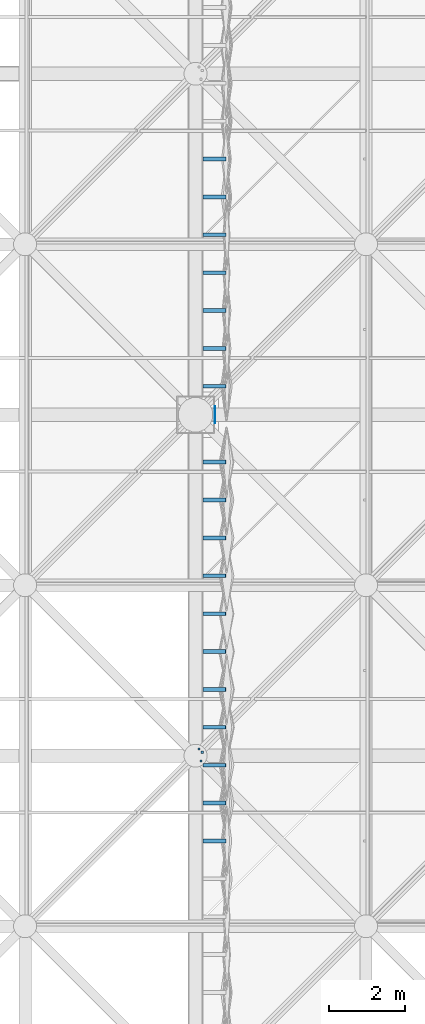
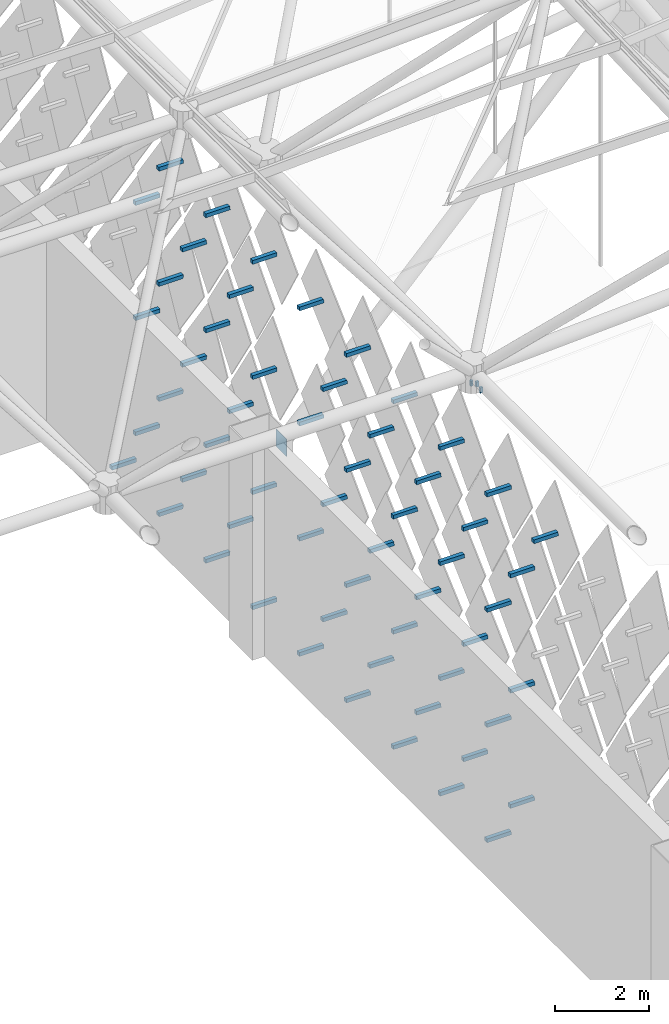
# One storey, part 377 of 437: 62 discrete accessories.
"""IFC4 building model written with IfcOpenShell, lengths in metres."""

from ifc_helpers import new_model, si_unit, direction, frame, origin, place, context, subcontext, project, spatial, polyline, outline, extrude, material, layer, layer_set, type_object, element, save


model = new_model("IFC4")

# Units and contexts
model_context = context("Model", 3, precision=1e-05, world=origin(), true_north=direction((0.0, 1.0)))
body_context = subcontext(model_context, "Body", "Model", "MODEL_VIEW")
ifc_project = project(units=[si_unit("LENGTHUNIT", "METRE"), si_unit("AREAUNIT", "SQUARE_METRE"), si_unit("VOLUMEUNIT", "CUBIC_METRE"), si_unit("PLANEANGLEUNIT", "RADIAN"), si_unit("MASSUNIT", "GRAM", prefix="KILO")], contexts=[model_context])

# Site, building, storey
site_placement = place(None, origin())
site = spatial("IfcSite", under=ifc_project, at=site_placement, CompositionType="ELEMENT")
building_placement = place(site_placement, origin())
building = spatial("IfcBuilding", under=site, at=building_placement, Name="Opaline Strait Convention Centre", CompositionType="ELEMENT")
storey_placement = place(building_placement, frame((0.0, 0.0, 11.5)))
storey = spatial("IfcBuildingStorey", under=building, at=storey_placement, Name="L02", CompositionType="ELEMENT", Elevation=11.5)

# Discrete accessories
ifc_material_1 = material(Name="Structural steel Q355B", Category="steel")
ifc_layer = layer(ifc_material_1, 0.01611328125)
ifc_layer_set = layer_set([ifc_layer], Name="Structural steel Q355B")
discrete_accessory_type_1 = type_object("IfcDiscreteAccessoryType", Name="Prop bearing plate 450 x 450 x 16", PredefinedType="ANCHORPLATE", material=ifc_layer_set)
discrete_accessory_1_placement = place(storey_placement, frame((0.0, 0.0, 4.791748046875)))
element("IfcDiscreteAccessory", 1, at=discrete_accessory_1_placement, inside=storey, type_object=discrete_accessory_type_1, Name="Prop bearing plate 261/126 E", PredefinedType="ANCHORPLATE", context=body_context, shape_type="SweptSolid", body=[
    extrude(outline(polyline([(261.5, 125.77490234375), (261.51611328125, 125.77490234375), (261.51611328125, 126.22509765625), (261.5, 126.22509765625), (261.5, 125.77490234375)])), origin(), (0.0, 0.0, 1.0), 0.449951171875),
])
ifc_material_2 = material(Name="Steel Q355B", Category="steel")
discrete_accessory_type_2 = type_object("IfcDiscreteAccessoryType", Name="Soffit hanger 60x60 steel", PredefinedType="BRACKET", material=ifc_material_2)
discrete_accessory_2_placement = place(storey_placement, frame((0.0, 0.0, 11.998779296875)))
element("IfcDiscreteAccessory", 2, at=discrete_accessory_2_placement, inside=storey, type_object=discrete_accessory_type_2, Name="Soffit hanger", PredefinedType="BRACKET", context=body_context, shape_type="SweptSolid", body=[
    extrude(outline(polyline([(261.111328125, 116.82861328125), (261.17138671875, 116.82861328125), (261.17138671875, 116.888671875), (261.111328125, 116.888671875), (261.111328125, 116.82861328125)])), origin(), (0.0, 0.0, 1.0), 0.14111328125),
])
discrete_accessory_3_placement = place(storey_placement, frame((0.0, 0.0, 12.006591796875)))
element("IfcDiscreteAccessory", 3, at=discrete_accessory_3_placement, inside=storey, type_object=discrete_accessory_type_2, Name="Soffit hanger", PredefinedType="BRACKET", context=body_context, shape_type="SweptSolid", body=[
    extrude(outline(polyline([(261.14892578125, 117.059326171875), (261.208984375, 117.059326171875), (261.208984375, 117.119140625), (261.14892578125, 117.119140625), (261.14892578125, 117.059326171875)])), origin(), (0.0, 0.0, 1.0), 0.13330078125),
])
discrete_accessory_4_placement = place(storey_placement, frame((0.0, 0.0, 12.000732421875)))
element("IfcDiscreteAccessory", 4, at=discrete_accessory_4_placement, inside=storey, type_object=discrete_accessory_type_2, Name="Soffit hanger", PredefinedType="BRACKET", context=body_context, shape_type="SweptSolid", body=[
    extrude(outline(polyline([(261.059326171875, 117.14892578125), (261.119140625, 117.14892578125), (261.119140625, 117.208984375), (261.059326171875, 117.208984375), (261.059326171875, 117.14892578125)])), origin(), (0.0, 0.0, 1.0), 0.13916015625),
])
discrete_accessory_type_3 = type_object("IfcDiscreteAccessoryType", Name="Tile bracket 100x100 steel", PredefinedType="BRACKET", material=ifc_material_2)
discrete_accessory_5_placement = place(storey_placement, frame((261.199951171875, 116.699951171875, 0.39208984375), z_axis=(0.0, 1.0, 0.0), x_axis=(-1.0, 0.0, 0.0)))
element("IfcDiscreteAccessory", 5, at=discrete_accessory_5_placement, inside=storey, type_object=discrete_accessory_type_3, Name="Tile bracket XT16 E", PredefinedType="BRACKET", context=body_context, shape_type="SweptSolid", body=[
    extrude(outline(polyline([(0.0, -0.050048828125), (0.0, 0.050048828125), (-0.593017578125, 0.050048828125), (-0.60693359375, -0.050048828125), (0.0, -0.050048828125)])), origin(), (0.0, 0.0, 1.0), 0.10009765625),
])
discrete_accessory_6_placement = place(storey_placement, frame((261.199951171875, 118.699951171875, 0.39208984375), z_axis=(0.0, 1.0, 0.0), x_axis=(-1.0, 0.0, 0.0)))
element("IfcDiscreteAccessory", 6, at=discrete_accessory_6_placement, inside=storey, type_object=discrete_accessory_type_3, Name="Tile bracket XT15 E", PredefinedType="BRACKET", context=body_context, shape_type="SweptSolid", body=[
    extrude(outline(polyline([(0.0, -0.050048828125), (0.0, 0.050048828125), (-0.593505859375, 0.050048828125), (-0.606689453125, -0.050048828125), (0.0, -0.050048828125)])), origin(), (0.0, 0.0, 1.0), 0.10009765625),
])
discrete_accessory_7_placement = place(storey_placement, frame((261.199951171875, 120.699951171875, 0.39208984375), z_axis=(0.0, 1.0, 0.0), x_axis=(-1.0, 0.0, 0.0)))
element("IfcDiscreteAccessory", 7, at=discrete_accessory_7_placement, inside=storey, type_object=discrete_accessory_type_3, Name="Tile bracket XT12 E", PredefinedType="BRACKET", context=body_context, shape_type="SweptSolid", body=[
    extrude(outline(polyline([(0.0, -0.050048828125), (0.0, 0.050048828125), (-0.5947265625, 0.050048828125), (-0.605224609375, -0.050048828125), (0.0, -0.050048828125)])), origin(), (0.0, 0.0, 1.0), 0.10009765625),
])
discrete_accessory_8_placement = place(storey_placement, frame((261.199951171875, 122.699951171875, 0.39208984375), z_axis=(0.0, 1.0, 0.0), x_axis=(-1.0, 0.0, 0.0)))
element("IfcDiscreteAccessory", 8, at=discrete_accessory_8_placement, inside=storey, type_object=discrete_accessory_type_3, Name="Tile bracket XT08 E", PredefinedType="BRACKET", context=body_context, shape_type="SweptSolid", body=[
    extrude(outline(polyline([(0.0, -0.050048828125), (0.0, 0.050048828125), (-0.596435546875, 0.050048828125), (-0.603515625, -0.050048828125), (0.0, -0.050048828125)])), origin(), (0.0, 0.0, 1.0), 0.10009765625),
])
discrete_accessory_9_placement = place(storey_placement, frame((261.199951171875, 124.699951171875, 0.39208984375), z_axis=(0.0, 1.0, 0.0), x_axis=(-1.0, 0.0, 0.0)))
element("IfcDiscreteAccessory", 9, at=discrete_accessory_9_placement, inside=storey, type_object=discrete_accessory_type_3, Name="Tile bracket XT05 E", PredefinedType="BRACKET", context=body_context, shape_type="SweptSolid", body=[
    extrude(outline(polyline([(0.0, -0.050048828125), (0.0, 0.050048828125), (-0.597900390625, 0.050048828125), (-0.602294921875, -0.050048828125), (0.0, -0.050048828125)])), origin(), (0.0, 0.0, 1.0), 0.10009765625),
])
discrete_accessory_10_placement = place(storey_placement, frame((261.199951171875, 126.699951171875, 0.39208984375), z_axis=(0.0, 1.0, 0.0), x_axis=(-1.0, 0.0, 0.0)))
element("IfcDiscreteAccessory", 10, at=discrete_accessory_10_placement, inside=storey, type_object=discrete_accessory_type_3, Name="Tile bracket XT05 E", PredefinedType="BRACKET", context=body_context, shape_type="SweptSolid", body=[
    extrude(outline(polyline([(0.0, -0.050048828125), (0.0, 0.050048828125), (-0.602294921875, 0.050048828125), (-0.597900390625, -0.050048828125), (0.0, -0.050048828125)])), origin(), (0.0, 0.0, 1.0), 0.10009765625),
])
discrete_accessory_11_placement = place(storey_placement, frame((261.199951171875, 128.699951171875, 0.39208984375), z_axis=(0.0, 1.0, 0.0), x_axis=(-1.0, 0.0, 0.0)))
element("IfcDiscreteAccessory", 11, at=discrete_accessory_11_placement, inside=storey, type_object=discrete_accessory_type_3, Name="Tile bracket XT07 E", PredefinedType="BRACKET", context=body_context, shape_type="SweptSolid", body=[
    extrude(outline(polyline([(0.0, -0.050048828125), (0.0, 0.050048828125), (-0.60302734375, 0.050048828125), (-0.596923828125, -0.050048828125), (0.0, -0.050048828125)])), origin(), (0.0, 0.0, 1.0), 0.10009765625),
])
discrete_accessory_12_placement = place(storey_placement, frame((261.199951171875, 130.699951171875, 0.39208984375), z_axis=(0.0, 1.0, 0.0), x_axis=(-1.0, 0.0, 0.0)))
element("IfcDiscreteAccessory", 12, at=discrete_accessory_12_placement, inside=storey, type_object=discrete_accessory_type_3, Name="Tile bracket XT10 E", PredefinedType="BRACKET", context=body_context, shape_type="SweptSolid", body=[
    extrude(outline(polyline([(0.0, -0.050048828125), (0.0, 0.050048828125), (-0.604248046875, 0.050048828125), (-0.595703125, -0.050048828125), (0.0, -0.050048828125)])), origin(), (0.0, 0.0, 1.0), 0.10009765625),
])
discrete_accessory_13_placement = place(storey_placement, frame((261.199951171875, 132.699951171875, 0.39208984375), z_axis=(0.0, 1.0, 0.0), x_axis=(-1.0, 0.0, 0.0)))
element("IfcDiscreteAccessory", 13, at=discrete_accessory_13_placement, inside=storey, type_object=discrete_accessory_type_3, Name="Tile bracket XT12 E", PredefinedType="BRACKET", context=body_context, shape_type="SweptSolid", body=[
    extrude(outline(polyline([(0.0, -0.050048828125), (0.0, 0.050048828125), (-0.605224609375, 0.050048828125), (-0.5947265625, -0.050048828125), (0.0, -0.050048828125)])), origin(), (0.0, 0.0, 1.0), 0.10009765625),
])
discrete_accessory_14_placement = place(storey_placement, frame((261.199951171875, 115.699951171875, 1.89208984375), z_axis=(0.0, 1.0, 0.0), x_axis=(-1.0, 0.0, 0.0)))
element("IfcDiscreteAccessory", 14, at=discrete_accessory_14_placement, inside=storey, type_object=discrete_accessory_type_3, Name="Tile bracket XT15 E", PredefinedType="BRACKET", context=body_context, shape_type="SweptSolid", body=[
    extrude(outline(polyline([(0.0, -0.050048828125), (0.0, 0.050048828125), (-0.593505859375, 0.050048828125), (-0.606689453125, -0.050048828125), (0.0, -0.050048828125)])), origin(), (0.0, 0.0, 1.0), 0.10009765625),
])
discrete_accessory_15_placement = place(storey_placement, frame((261.199951171875, 117.699951171875, 1.89208984375), z_axis=(0.0, 1.0, 0.0), x_axis=(-1.0, 0.0, 0.0)))
element("IfcDiscreteAccessory", 15, at=discrete_accessory_15_placement, inside=storey, type_object=discrete_accessory_type_3, Name="Tile bracket XT16 E", PredefinedType="BRACKET", context=body_context, shape_type="SweptSolid", body=[
    extrude(outline(polyline([(0.0, -0.050048828125), (0.0, 0.050048828125), (-0.593017578125, 0.050048828125), (-0.60693359375, -0.050048828125), (0.0, -0.050048828125)])), origin(), (0.0, 0.0, 1.0), 0.10009765625),
])
discrete_accessory_16_placement = place(storey_placement, frame((261.199951171875, 119.699951171875, 1.89208984375), z_axis=(0.0, 1.0, 0.0), x_axis=(-1.0, 0.0, 0.0)))
element("IfcDiscreteAccessory", 16, at=discrete_accessory_16_placement, inside=storey, type_object=discrete_accessory_type_3, Name="Tile bracket XT15 E", PredefinedType="BRACKET", context=body_context, shape_type="SweptSolid", body=[
    extrude(outline(polyline([(0.0, -0.050048828125), (0.0, 0.050048828125), (-0.593505859375, 0.050048828125), (-0.606689453125, -0.050048828125), (0.0, -0.050048828125)])), origin(), (0.0, 0.0, 1.0), 0.10009765625),
])
discrete_accessory_17_placement = place(storey_placement, frame((261.199951171875, 121.699951171875, 1.89208984375), z_axis=(0.0, 1.0, 0.0), x_axis=(-1.0, 0.0, 0.0)))
element("IfcDiscreteAccessory", 17, at=discrete_accessory_17_placement, inside=storey, type_object=discrete_accessory_type_3, Name="Tile bracket XT12 E", PredefinedType="BRACKET", context=body_context, shape_type="SweptSolid", body=[
    extrude(outline(polyline([(0.0, -0.050048828125), (0.0, 0.050048828125), (-0.5947265625, 0.050048828125), (-0.605224609375, -0.050048828125), (0.0, -0.050048828125)])), origin(), (0.0, 0.0, 1.0), 0.10009765625),
])
discrete_accessory_18_placement = place(storey_placement, frame((261.199951171875, 123.699951171875, 1.89208984375), z_axis=(0.0, 1.0, 0.0), x_axis=(-1.0, 0.0, 0.0)))
element("IfcDiscreteAccessory", 18, at=discrete_accessory_18_placement, inside=storey, type_object=discrete_accessory_type_3, Name="Tile bracket XT08 E", PredefinedType="BRACKET", context=body_context, shape_type="SweptSolid", body=[
    extrude(outline(polyline([(0.0, -0.050048828125), (0.0, 0.050048828125), (-0.596435546875, 0.050048828125), (-0.603515625, -0.050048828125), (0.0, -0.050048828125)])), origin(), (0.0, 0.0, 1.0), 0.10009765625),
])
discrete_accessory_19_placement = place(storey_placement, frame((261.199951171875, 127.699951171875, 1.89208984375), z_axis=(0.0, 1.0, 0.0), x_axis=(-1.0, 0.0, 0.0)))
element("IfcDiscreteAccessory", 19, at=discrete_accessory_19_placement, inside=storey, type_object=discrete_accessory_type_3, Name="Tile bracket XT05 E", PredefinedType="BRACKET", context=body_context, shape_type="SweptSolid", body=[
    extrude(outline(polyline([(0.0, -0.050048828125), (0.0, 0.050048828125), (-0.602294921875, 0.050048828125), (-0.597900390625, -0.050048828125), (0.0, -0.050048828125)])), origin(), (0.0, 0.0, 1.0), 0.10009765625),
])
discrete_accessory_20_placement = place(storey_placement, frame((261.199951171875, 129.699951171875, 1.89208984375), z_axis=(0.0, 1.0, 0.0), x_axis=(-1.0, 0.0, 0.0)))
element("IfcDiscreteAccessory", 20, at=discrete_accessory_20_placement, inside=storey, type_object=discrete_accessory_type_3, Name="Tile bracket XT06 E", PredefinedType="BRACKET", context=body_context, shape_type="SweptSolid", body=[
    extrude(outline(polyline([(0.0, -0.050048828125), (0.0, 0.050048828125), (-0.6025390625, 0.050048828125), (-0.597412109375, -0.050048828125), (0.0, -0.050048828125)])), origin(), (0.0, 0.0, 1.0), 0.10009765625),
])
discrete_accessory_21_placement = place(storey_placement, frame((261.199951171875, 131.699951171875, 1.89208984375), z_axis=(0.0, 1.0, 0.0), x_axis=(-1.0, 0.0, 0.0)))
element("IfcDiscreteAccessory", 21, at=discrete_accessory_21_placement, inside=storey, type_object=discrete_accessory_type_3, Name="Tile bracket XT10 E", PredefinedType="BRACKET", context=body_context, shape_type="SweptSolid", body=[
    extrude(outline(polyline([(0.0, -0.050048828125), (0.0, 0.050048828125), (-0.604248046875, 0.050048828125), (-0.595703125, -0.050048828125), (0.0, -0.050048828125)])), origin(), (0.0, 0.0, 1.0), 0.10009765625),
])
discrete_accessory_22_placement = place(storey_placement, frame((261.199951171875, 116.699951171875, 3.39208984375), z_axis=(0.0, 1.0, 0.0), x_axis=(-1.0, 0.0, 0.0)))
element("IfcDiscreteAccessory", 22, at=discrete_accessory_22_placement, inside=storey, type_object=discrete_accessory_type_3, Name="Tile bracket XT15 E", PredefinedType="BRACKET", context=body_context, shape_type="SweptSolid", body=[
    extrude(outline(polyline([(0.0, -0.050048828125), (0.0, 0.050048828125), (-0.593505859375, 0.050048828125), (-0.606689453125, -0.050048828125), (0.0, -0.050048828125)])), origin(), (0.0, 0.0, 1.0), 0.10009765625),
])
discrete_accessory_23_placement = place(storey_placement, frame((261.199951171875, 118.699951171875, 3.39208984375), z_axis=(0.0, 1.0, 0.0), x_axis=(-1.0, 0.0, 0.0)))
element("IfcDiscreteAccessory", 23, at=discrete_accessory_23_placement, inside=storey, type_object=discrete_accessory_type_3, Name="Tile bracket XT16 E", PredefinedType="BRACKET", context=body_context, shape_type="SweptSolid", body=[
    extrude(outline(polyline([(0.0, -0.050048828125), (0.0, 0.050048828125), (-0.593017578125, 0.050048828125), (-0.60693359375, -0.050048828125), (0.0, -0.050048828125)])), origin(), (0.0, 0.0, 1.0), 0.10009765625),
])
discrete_accessory_24_placement = place(storey_placement, frame((261.199951171875, 120.699951171875, 3.39208984375), z_axis=(0.0, 1.0, 0.0), x_axis=(-1.0, 0.0, 0.0)))
element("IfcDiscreteAccessory", 24, at=discrete_accessory_24_placement, inside=storey, type_object=discrete_accessory_type_3, Name="Tile bracket XT14 E", PredefinedType="BRACKET", context=body_context, shape_type="SweptSolid", body=[
    extrude(outline(polyline([(0.0, -0.050048828125), (0.0, 0.050048828125), (-0.59375, 0.050048828125), (-0.606201171875, -0.050048828125), (0.0, -0.050048828125)])), origin(), (0.0, 0.0, 1.0), 0.10009765625),
])
discrete_accessory_25_placement = place(storey_placement, frame((261.199951171875, 122.699951171875, 3.39208984375), z_axis=(0.0, 1.0, 0.0), x_axis=(-1.0, 0.0, 0.0)))
element("IfcDiscreteAccessory", 25, at=discrete_accessory_25_placement, inside=storey, type_object=discrete_accessory_type_3, Name="Tile bracket XT12 E", PredefinedType="BRACKET", context=body_context, shape_type="SweptSolid", body=[
    extrude(outline(polyline([(0.0, -0.050048828125), (0.0, 0.050048828125), (-0.5947265625, 0.050048828125), (-0.605224609375, -0.050048828125), (0.0, -0.050048828125)])), origin(), (0.0, 0.0, 1.0), 0.10009765625),
])
discrete_accessory_26_placement = place(storey_placement, frame((261.199951171875, 124.699951171875, 3.39208984375), z_axis=(0.0, 1.0, 0.0), x_axis=(-1.0, 0.0, 0.0)))
element("IfcDiscreteAccessory", 26, at=discrete_accessory_26_placement, inside=storey, type_object=discrete_accessory_type_3, Name="Tile bracket XT08 E", PredefinedType="BRACKET", context=body_context, shape_type="SweptSolid", body=[
    extrude(outline(polyline([(0.0, -0.050048828125), (0.0, 0.050048828125), (-0.596435546875, 0.050048828125), (-0.603515625, -0.050048828125), (0.0, -0.050048828125)])), origin(), (0.0, 0.0, 1.0), 0.10009765625),
])
discrete_accessory_27_placement = place(storey_placement, frame((261.199951171875, 126.699951171875, 3.39208984375), z_axis=(0.0, 1.0, 0.0), x_axis=(-1.0, 0.0, 0.0)))
element("IfcDiscreteAccessory", 27, at=discrete_accessory_27_placement, inside=storey, type_object=discrete_accessory_type_3, Name="Tile bracket XT05 E", PredefinedType="BRACKET", context=body_context, shape_type="SweptSolid", body=[
    extrude(outline(polyline([(0.0, -0.050048828125), (0.0, 0.050048828125), (-0.597900390625, 0.050048828125), (-0.602294921875, -0.050048828125), (0.0, -0.050048828125)])), origin(), (0.0, 0.0, 1.0), 0.10009765625),
])
discrete_accessory_28_placement = place(storey_placement, frame((261.199951171875, 128.699951171875, 3.39208984375), z_axis=(0.0, 1.0, 0.0), x_axis=(-1.0, 0.0, 0.0)))
element("IfcDiscreteAccessory", 28, at=discrete_accessory_28_placement, inside=storey, type_object=discrete_accessory_type_3, Name="Tile bracket XT05 E", PredefinedType="BRACKET", context=body_context, shape_type="SweptSolid", body=[
    extrude(outline(polyline([(0.0, -0.050048828125), (0.0, 0.050048828125), (-0.602294921875, 0.050048828125), (-0.597900390625, -0.050048828125), (0.0, -0.050048828125)])), origin(), (0.0, 0.0, 1.0), 0.10009765625),
])
discrete_accessory_29_placement = place(storey_placement, frame((261.199951171875, 130.699951171875, 3.39208984375), z_axis=(0.0, 1.0, 0.0), x_axis=(-1.0, 0.0, 0.0)))
element("IfcDiscreteAccessory", 29, at=discrete_accessory_29_placement, inside=storey, type_object=discrete_accessory_type_3, Name="Tile bracket XT06 E", PredefinedType="BRACKET", context=body_context, shape_type="SweptSolid", body=[
    extrude(outline(polyline([(0.0, -0.050048828125), (0.0, 0.050048828125), (-0.6025390625, 0.050048828125), (-0.597412109375, -0.050048828125), (0.0, -0.050048828125)])), origin(), (0.0, 0.0, 1.0), 0.10009765625),
])
discrete_accessory_30_placement = place(storey_placement, frame((261.199951171875, 115.699951171875, 4.89208984375), z_axis=(0.0, 1.0, 0.0), x_axis=(-1.0, 0.0, 0.0)))
element("IfcDiscreteAccessory", 30, at=discrete_accessory_30_placement, inside=storey, type_object=discrete_accessory_type_3, Name="Tile bracket XT11 E", PredefinedType="BRACKET", context=body_context, shape_type="SweptSolid", body=[
    extrude(outline(polyline([(0.0, -0.050048828125), (0.0, 0.050048828125), (-0.59521484375, 0.050048828125), (-0.604736328125, -0.050048828125), (0.0, -0.050048828125)])), origin(), (0.0, 0.0, 1.0), 0.10009765625),
])
discrete_accessory_31_placement = place(storey_placement, frame((261.199951171875, 117.699951171875, 4.89208984375), z_axis=(0.0, 1.0, 0.0), x_axis=(-1.0, 0.0, 0.0)))
element("IfcDiscreteAccessory", 31, at=discrete_accessory_31_placement, inside=storey, type_object=discrete_accessory_type_3, Name="Tile bracket XT14 E", PredefinedType="BRACKET", context=body_context, shape_type="SweptSolid", body=[
    extrude(outline(polyline([(0.0, -0.050048828125), (0.0, 0.050048828125), (-0.59375, 0.050048828125), (-0.606201171875, -0.050048828125), (0.0, -0.050048828125)])), origin(), (0.0, 0.0, 1.0), 0.10009765625),
])
discrete_accessory_32_placement = place(storey_placement, frame((261.199951171875, 119.699951171875, 4.89208984375), z_axis=(0.0, 1.0, 0.0), x_axis=(-1.0, 0.0, 0.0)))
element("IfcDiscreteAccessory", 32, at=discrete_accessory_32_placement, inside=storey, type_object=discrete_accessory_type_3, Name="Tile bracket XT16 E", PredefinedType="BRACKET", context=body_context, shape_type="SweptSolid", body=[
    extrude(outline(polyline([(0.0, -0.050048828125), (0.0, 0.050048828125), (-0.593017578125, 0.050048828125), (-0.60693359375, -0.050048828125), (0.0, -0.050048828125)])), origin(), (0.0, 0.0, 1.0), 0.10009765625),
])
discrete_accessory_33_placement = place(storey_placement, frame((261.199951171875, 121.699951171875, 4.89208984375), z_axis=(0.0, 1.0, 0.0), x_axis=(-1.0, 0.0, 0.0)))
element("IfcDiscreteAccessory", 33, at=discrete_accessory_33_placement, inside=storey, type_object=discrete_accessory_type_3, Name="Tile bracket XT15 E", PredefinedType="BRACKET", context=body_context, shape_type="SweptSolid", body=[
    extrude(outline(polyline([(0.0, -0.050048828125), (0.0, 0.050048828125), (-0.593505859375, 0.050048828125), (-0.606689453125, -0.050048828125), (0.0, -0.050048828125)])), origin(), (0.0, 0.0, 1.0), 0.10009765625),
])
discrete_accessory_34_placement = place(storey_placement, frame((261.199951171875, 123.699951171875, 4.89208984375), z_axis=(0.0, 1.0, 0.0), x_axis=(-1.0, 0.0, 0.0)))
element("IfcDiscreteAccessory", 34, at=discrete_accessory_34_placement, inside=storey, type_object=discrete_accessory_type_3, Name="Tile bracket XT12 E", PredefinedType="BRACKET", context=body_context, shape_type="SweptSolid", body=[
    extrude(outline(polyline([(0.0, -0.050048828125), (0.0, 0.050048828125), (-0.5947265625, 0.050048828125), (-0.605224609375, -0.050048828125), (0.0, -0.050048828125)])), origin(), (0.0, 0.0, 1.0), 0.10009765625),
])
discrete_accessory_35_placement = place(storey_placement, frame((261.199951171875, 127.699951171875, 4.89208984375), z_axis=(0.0, 1.0, 0.0), x_axis=(-1.0, 0.0, 0.0)))
element("IfcDiscreteAccessory", 35, at=discrete_accessory_35_placement, inside=storey, type_object=discrete_accessory_type_3, Name="Tile bracket XT05 E", PredefinedType="BRACKET", context=body_context, shape_type="SweptSolid", body=[
    extrude(outline(polyline([(0.0, -0.050048828125), (0.0, 0.050048828125), (-0.597900390625, 0.050048828125), (-0.602294921875, -0.050048828125), (0.0, -0.050048828125)])), origin(), (0.0, 0.0, 1.0), 0.10009765625),
])
for number, where, z_axis, x_axis, name in (
    (36, (261.199951171875, 129.699951171875, 4.89208984375), (0.0, 1.0, 0.0), (-1.0, 0.0, 0.0), "Tile bracket XT05 E"),
    (37, (261.199951171875, 131.699951171875, 4.89208984375), (0.0, 1.0, 0.0), (-1.0, 0.0, 0.0), "Tile bracket XT05 E"),
):
    element("IfcDiscreteAccessory", number, at=place(storey_placement, frame(where, z_axis=z_axis, x_axis=x_axis)), inside=storey, type_object=discrete_accessory_type_3, Name=name, PredefinedType="BRACKET", context=body_context, shape_type="SweptSolid", body=[
        extrude(outline(polyline([(0.0, -0.050048828125), (0.0, 0.050048828125), (-0.602294921875, 0.050048828125), (-0.597900390625, -0.050048828125), (0.0, -0.050048828125)])), origin(), (0.0, 0.0, 1.0), 0.10009765625),
    ])
discrete_accessory_36_placement = place(storey_placement, frame((261.199951171875, 116.699951171875, 6.39208984375), z_axis=(0.0, 1.0, 0.0), x_axis=(-1.0, 0.0, 0.0)))
element("IfcDiscreteAccessory", 38, at=discrete_accessory_36_placement, inside=storey, type_object=discrete_accessory_type_3, Name="Tile bracket XT11 E", PredefinedType="BRACKET", context=body_context, shape_type="SweptSolid", body=[
    extrude(outline(polyline([(0.0, -0.050048828125), (0.0, 0.050048828125), (-0.59521484375, 0.050048828125), (-0.604736328125, -0.050048828125), (0.0, -0.050048828125)])), origin(), (0.0, 0.0, 1.0), 0.10009765625),
])
discrete_accessory_37_placement = place(storey_placement, frame((261.199951171875, 118.699951171875, 6.39208984375), z_axis=(0.0, 1.0, 0.0), x_axis=(-1.0, 0.0, 0.0)))
element("IfcDiscreteAccessory", 39, at=discrete_accessory_37_placement, inside=storey, type_object=discrete_accessory_type_3, Name="Tile bracket XT14 E", PredefinedType="BRACKET", context=body_context, shape_type="SweptSolid", body=[
    extrude(outline(polyline([(0.0, -0.050048828125), (0.0, 0.050048828125), (-0.59375, 0.050048828125), (-0.606201171875, -0.050048828125), (0.0, -0.050048828125)])), origin(), (0.0, 0.0, 1.0), 0.10009765625),
])
for number, where, z_axis, x_axis, name in (
    (40, (261.199951171875, 120.699951171875, 6.39208984375), (0.0, 1.0, 0.0), (-1.0, 0.0, 0.0), "Tile bracket XT15 E"),
    (41, (261.199951171875, 122.699951171875, 6.39208984375), (0.0, 1.0, 0.0), (-1.0, 0.0, 0.0), "Tile bracket XT15 E"),
):
    element("IfcDiscreteAccessory", number, at=place(storey_placement, frame(where, z_axis=z_axis, x_axis=x_axis)), inside=storey, type_object=discrete_accessory_type_3, Name=name, PredefinedType="BRACKET", context=body_context, shape_type="SweptSolid", body=[
        extrude(outline(polyline([(0.0, -0.050048828125), (0.0, 0.050048828125), (-0.593505859375, 0.050048828125), (-0.606689453125, -0.050048828125), (0.0, -0.050048828125)])), origin(), (0.0, 0.0, 1.0), 0.10009765625),
    ])
discrete_accessory_38_placement = place(storey_placement, frame((261.199951171875, 124.699951171875, 6.39208984375), z_axis=(0.0, 1.0, 0.0), x_axis=(-1.0, 0.0, 0.0)))
element("IfcDiscreteAccessory", 42, at=discrete_accessory_38_placement, inside=storey, type_object=discrete_accessory_type_3, Name="Tile bracket XT13 E", PredefinedType="BRACKET", context=body_context, shape_type="SweptSolid", body=[
    extrude(outline(polyline([(0.0, -0.050048828125), (0.0, 0.050048828125), (-0.59423828125, 0.050048828125), (-0.605712890625, -0.050048828125), (0.0, -0.050048828125)])), origin(), (0.0, 0.0, 1.0), 0.10009765625),
])
discrete_accessory_39_placement = place(storey_placement, frame((261.199951171875, 126.699951171875, 6.39208984375), z_axis=(0.0, 1.0, 0.0), x_axis=(-1.0, 0.0, 0.0)))
element("IfcDiscreteAccessory", 43, at=discrete_accessory_39_placement, inside=storey, type_object=discrete_accessory_type_3, Name="Tile bracket XT08 E", PredefinedType="BRACKET", context=body_context, shape_type="SweptSolid", body=[
    extrude(outline(polyline([(0.0, -0.050048828125), (0.0, 0.050048828125), (-0.596435546875, 0.050048828125), (-0.603515625, -0.050048828125), (0.0, -0.050048828125)])), origin(), (0.0, 0.0, 1.0), 0.10009765625),
])
discrete_accessory_40_placement = place(storey_placement, frame((261.199951171875, 128.699951171875, 6.39208984375), z_axis=(0.0, 1.0, 0.0), x_axis=(-1.0, 0.0, 0.0)))
element("IfcDiscreteAccessory", 44, at=discrete_accessory_40_placement, inside=storey, type_object=discrete_accessory_type_3, Name="Tile bracket XT05 E", PredefinedType="BRACKET", context=body_context, shape_type="SweptSolid", body=[
    extrude(outline(polyline([(0.0, -0.050048828125), (0.0, 0.050048828125), (-0.597900390625, 0.050048828125), (-0.602294921875, -0.050048828125), (0.0, -0.050048828125)])), origin(), (0.0, 0.0, 1.0), 0.10009765625),
])
discrete_accessory_41_placement = place(storey_placement, frame((261.199951171875, 130.699951171875, 6.39208984375), z_axis=(0.0, 1.0, 0.0), x_axis=(-1.0, 0.0, 0.0)))
element("IfcDiscreteAccessory", 45, at=discrete_accessory_41_placement, inside=storey, type_object=discrete_accessory_type_3, Name="Tile bracket XT05 E", PredefinedType="BRACKET", context=body_context, shape_type="SweptSolid", body=[
    extrude(outline(polyline([(0.0, -0.050048828125), (0.0, 0.050048828125), (-0.602294921875, 0.050048828125), (-0.597900390625, -0.050048828125), (0.0, -0.050048828125)])), origin(), (0.0, 0.0, 1.0), 0.10009765625),
])
discrete_accessory_42_placement = place(storey_placement, frame((261.199951171875, 115.699951171875, 7.89208984375), z_axis=(0.0, 1.0, 0.0), x_axis=(-1.0, 0.0, 0.0)))
element("IfcDiscreteAccessory", 46, at=discrete_accessory_42_placement, inside=storey, type_object=discrete_accessory_type_3, Name="Tile bracket XT06 E", PredefinedType="BRACKET", context=body_context, shape_type="SweptSolid", body=[
    extrude(outline(polyline([(0.0, -0.050048828125), (0.0, 0.050048828125), (-0.597412109375, 0.050048828125), (-0.6025390625, -0.050048828125), (0.0, -0.050048828125)])), origin(), (0.0, 0.0, 1.0), 0.10009765625),
])
discrete_accessory_43_placement = place(storey_placement, frame((261.199951171875, 117.699951171875, 7.89208984375), z_axis=(0.0, 1.0, 0.0), x_axis=(-1.0, 0.0, 0.0)))
element("IfcDiscreteAccessory", 47, at=discrete_accessory_43_placement, inside=storey, type_object=discrete_accessory_type_3, Name="Tile bracket XT11 E", PredefinedType="BRACKET", context=body_context, shape_type="SweptSolid", body=[
    extrude(outline(polyline([(0.0, -0.050048828125), (0.0, 0.050048828125), (-0.59521484375, 0.050048828125), (-0.604736328125, -0.050048828125), (0.0, -0.050048828125)])), origin(), (0.0, 0.0, 1.0), 0.10009765625),
])
discrete_accessory_44_placement = place(storey_placement, frame((261.199951171875, 119.699951171875, 7.89208984375), z_axis=(0.0, 1.0, 0.0), x_axis=(-1.0, 0.0, 0.0)))
element("IfcDiscreteAccessory", 48, at=discrete_accessory_44_placement, inside=storey, type_object=discrete_accessory_type_3, Name="Tile bracket XT14 E", PredefinedType="BRACKET", context=body_context, shape_type="SweptSolid", body=[
    extrude(outline(polyline([(0.0, -0.050048828125), (0.0, 0.050048828125), (-0.59375, 0.050048828125), (-0.606201171875, -0.050048828125), (0.0, -0.050048828125)])), origin(), (0.0, 0.0, 1.0), 0.10009765625),
])
for number, where, z_axis, x_axis, name in (
    (49, (261.199951171875, 121.699951171875, 7.89208984375), (0.0, 1.0, 0.0), (-1.0, 0.0, 0.0), "Tile bracket XT15 E"),
    (50, (261.199951171875, 123.699951171875, 7.89208984375), (0.0, 1.0, 0.0), (-1.0, 0.0, 0.0), "Tile bracket XT15 E"),
):
    element("IfcDiscreteAccessory", number, at=place(storey_placement, frame(where, z_axis=z_axis, x_axis=x_axis)), inside=storey, type_object=discrete_accessory_type_3, Name=name, PredefinedType="BRACKET", context=body_context, shape_type="SweptSolid", body=[
        extrude(outline(polyline([(0.0, -0.050048828125), (0.0, 0.050048828125), (-0.593505859375, 0.050048828125), (-0.606689453125, -0.050048828125), (0.0, -0.050048828125)])), origin(), (0.0, 0.0, 1.0), 0.10009765625),
    ])
discrete_accessory_45_placement = place(storey_placement, frame((261.199951171875, 127.699951171875, 7.89208984375), z_axis=(0.0, 1.0, 0.0), x_axis=(-1.0, 0.0, 0.0)))
element("IfcDiscreteAccessory", 51, at=discrete_accessory_45_placement, inside=storey, type_object=discrete_accessory_type_3, Name="Tile bracket XT09 E", PredefinedType="BRACKET", context=body_context, shape_type="SweptSolid", body=[
    extrude(outline(polyline([(0.0, -0.050048828125), (0.0, 0.050048828125), (-0.595947265625, 0.050048828125), (-0.60400390625, -0.050048828125), (0.0, -0.050048828125)])), origin(), (0.0, 0.0, 1.0), 0.10009765625),
])
discrete_accessory_46_placement = place(storey_placement, frame((261.199951171875, 129.699951171875, 7.89208984375), z_axis=(0.0, 1.0, 0.0), x_axis=(-1.0, 0.0, 0.0)))
element("IfcDiscreteAccessory", 52, at=discrete_accessory_46_placement, inside=storey, type_object=discrete_accessory_type_3, Name="Tile bracket XT05 E", PredefinedType="BRACKET", context=body_context, shape_type="SweptSolid", body=[
    extrude(outline(polyline([(0.0, -0.050048828125), (0.0, 0.050048828125), (-0.597900390625, 0.050048828125), (-0.602294921875, -0.050048828125), (0.0, -0.050048828125)])), origin(), (0.0, 0.0, 1.0), 0.10009765625),
])
discrete_accessory_47_placement = place(storey_placement, frame((261.199951171875, 131.699951171875, 7.89208984375), z_axis=(0.0, 1.0, 0.0), x_axis=(-1.0, 0.0, 0.0)))
element("IfcDiscreteAccessory", 53, at=discrete_accessory_47_placement, inside=storey, type_object=discrete_accessory_type_3, Name="Tile bracket XT05 E", PredefinedType="BRACKET", context=body_context, shape_type="SweptSolid", body=[
    extrude(outline(polyline([(0.0, -0.050048828125), (0.0, 0.050048828125), (-0.602294921875, 0.050048828125), (-0.597900390625, -0.050048828125), (0.0, -0.050048828125)])), origin(), (0.0, 0.0, 1.0), 0.10009765625),
])
for number, where, z_axis, x_axis, name in (
    (54, (261.199951171875, 114.699951171875, 9.39208984375), (0.0, 1.0, 0.0), (-1.0, 0.0, 0.0), "Tile bracket XT06 E"),
    (55, (261.199951171875, 116.699951171875, 9.39208984375), (0.0, 1.0, 0.0), (-1.0, 0.0, 0.0), "Tile bracket XT06 E"),
):
    element("IfcDiscreteAccessory", number, at=place(storey_placement, frame(where, z_axis=z_axis, x_axis=x_axis)), inside=storey, type_object=discrete_accessory_type_3, Name=name, PredefinedType="BRACKET", context=body_context, shape_type="SweptSolid", body=[
        extrude(outline(polyline([(0.0, -0.050048828125), (0.0, 0.050048828125), (-0.597412109375, 0.050048828125), (-0.6025390625, -0.050048828125), (0.0, -0.050048828125)])), origin(), (0.0, 0.0, 1.0), 0.10009765625),
    ])
discrete_accessory_48_placement = place(storey_placement, frame((261.199951171875, 118.699951171875, 9.39208984375), z_axis=(0.0, 1.0, 0.0), x_axis=(-1.0, 0.0, 0.0)))
element("IfcDiscreteAccessory", 56, at=discrete_accessory_48_placement, inside=storey, type_object=discrete_accessory_type_3, Name="Tile bracket XT10 E", PredefinedType="BRACKET", context=body_context, shape_type="SweptSolid", body=[
    extrude(outline(polyline([(0.0, -0.050048828125), (0.0, 0.050048828125), (-0.595703125, 0.050048828125), (-0.604248046875, -0.050048828125), (0.0, -0.050048828125)])), origin(), (0.0, 0.0, 1.0), 0.10009765625),
])
discrete_accessory_49_placement = place(storey_placement, frame((261.199951171875, 120.699951171875, 9.39208984375), z_axis=(0.0, 1.0, 0.0), x_axis=(-1.0, 0.0, 0.0)))
element("IfcDiscreteAccessory", 57, at=discrete_accessory_49_placement, inside=storey, type_object=discrete_accessory_type_3, Name="Tile bracket XT13 E", PredefinedType="BRACKET", context=body_context, shape_type="SweptSolid", body=[
    extrude(outline(polyline([(0.0, -0.050048828125), (0.0, 0.050048828125), (-0.59423828125, 0.050048828125), (-0.605712890625, -0.050048828125), (0.0, -0.050048828125)])), origin(), (0.0, 0.0, 1.0), 0.10009765625),
])
for number, where, z_axis, x_axis, name in (
    (58, (261.199951171875, 122.699951171875, 9.39208984375), (0.0, 1.0, 0.0), (-1.0, 0.0, 0.0), "Tile bracket XT15 E"),
    (59, (261.199951171875, 124.699951171875, 9.39208984375), (0.0, 1.0, 0.0), (-1.0, 0.0, 0.0), "Tile bracket XT15 E"),
):
    element("IfcDiscreteAccessory", number, at=place(storey_placement, frame(where, z_axis=z_axis, x_axis=x_axis)), inside=storey, type_object=discrete_accessory_type_3, Name=name, PredefinedType="BRACKET", context=body_context, shape_type="SweptSolid", body=[
        extrude(outline(polyline([(0.0, -0.050048828125), (0.0, 0.050048828125), (-0.593505859375, 0.050048828125), (-0.606689453125, -0.050048828125), (0.0, -0.050048828125)])), origin(), (0.0, 0.0, 1.0), 0.10009765625),
    ])
discrete_accessory_50_placement = place(storey_placement, frame((261.199951171875, 126.699951171875, 9.39208984375), z_axis=(0.0, 1.0, 0.0), x_axis=(-1.0, 0.0, 0.0)))
element("IfcDiscreteAccessory", 60, at=discrete_accessory_50_placement, inside=storey, type_object=discrete_accessory_type_3, Name="Tile bracket XT12 E", PredefinedType="BRACKET", context=body_context, shape_type="SweptSolid", body=[
    extrude(outline(polyline([(0.0, -0.050048828125), (0.0, 0.050048828125), (-0.5947265625, 0.050048828125), (-0.605224609375, -0.050048828125), (0.0, -0.050048828125)])), origin(), (0.0, 0.0, 1.0), 0.10009765625),
])
discrete_accessory_51_placement = place(storey_placement, frame((261.199951171875, 128.699951171875, 9.39208984375), z_axis=(0.0, 1.0, 0.0), x_axis=(-1.0, 0.0, 0.0)))
element("IfcDiscreteAccessory", 61, at=discrete_accessory_51_placement, inside=storey, type_object=discrete_accessory_type_3, Name="Tile bracket XT09 E", PredefinedType="BRACKET", context=body_context, shape_type="SweptSolid", body=[
    extrude(outline(polyline([(0.0, -0.050048828125), (0.0, 0.050048828125), (-0.595947265625, 0.050048828125), (-0.60400390625, -0.050048828125), (0.0, -0.050048828125)])), origin(), (0.0, 0.0, 1.0), 0.10009765625),
])
discrete_accessory_52_placement = place(storey_placement, frame((261.199951171875, 130.699951171875, 9.39208984375), z_axis=(0.0, 1.0, 0.0), x_axis=(-1.0, 0.0, 0.0)))
element("IfcDiscreteAccessory", 62, at=discrete_accessory_52_placement, inside=storey, type_object=discrete_accessory_type_3, Name="Tile bracket XT05 E", PredefinedType="BRACKET", context=body_context, shape_type="SweptSolid", body=[
    extrude(outline(polyline([(0.0, -0.050048828125), (0.0, 0.050048828125), (-0.597900390625, 0.050048828125), (-0.602294921875, -0.050048828125), (0.0, -0.050048828125)])), origin(), (0.0, 0.0, 1.0), 0.10009765625),
])

save(model, "model.ifc")
